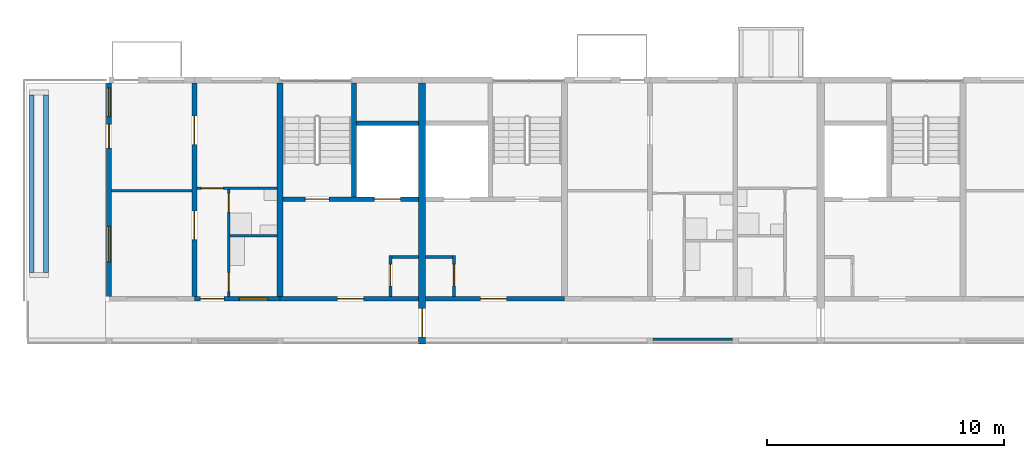
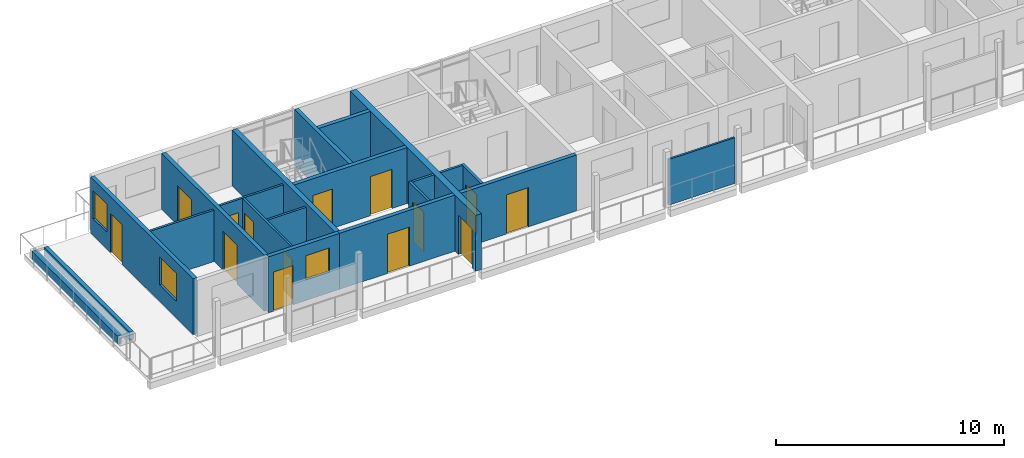
# One storey, part 34 of 93: 21 walls, 14 doors, 3 windows, 17 openings.
"""IFC4 building model written with IfcOpenShell, lengths in metres."""

from ifc_helpers import new_model, si_unit, direction, frame, frame_2d, origin, place, context, subcontext, project, spatial, rectangle, extrude, material, layer, layer_set, type_object, element, fill, save


model = new_model("IFC4")

# Units and contexts
model_context = context("Model", 3, precision=1e-05, world=origin(), true_north=direction((0.0, 1.0)))
body_context = subcontext(model_context, "Body", "Model", "MODEL_VIEW")
ifc_project = project(units=[si_unit("LENGTHUNIT", "METRE"), si_unit("AREAUNIT", "SQUARE_METRE"), si_unit("VOLUMEUNIT", "CUBIC_METRE"), si_unit("PLANEANGLEUNIT", "RADIAN"), si_unit("MASSUNIT", "GRAM", prefix="KILO")], contexts=[model_context])

# Site, building, storey
site_placement = place(None, origin())
site = spatial("IfcSite", under=ifc_project, at=site_placement, CompositionType="ELEMENT")
building_placement = place(site_placement, origin())
building = spatial("IfcBuilding", under=site, at=building_placement, Name="Ridgestep Commons", CompositionType="ELEMENT")
storey_placement = place(building_placement, frame((0.0, 0.0, 18.0)))
storey = spatial("IfcBuildingStorey", under=building, at=storey_placement, Name="L06", CompositionType="ELEMENT", Elevation=18.0)

# Wall
ifc_material_1 = material(Name="Concrete C30/37", Category="concrete")
ifc_layer_1 = layer(ifc_material_1, 0.25)
ifc_layer_set_1 = layer_set([ifc_layer_1], Name="Core cross wall 250")
wall_type_1 = type_object("IfcWallType", Name="Core cross wall 250", PredefinedType="SHEAR", material=ifc_layer_set_1)
wall_1_placement = place(storey_placement, frame((22.800048828125, 68.0, 0.0), z_axis=(0.0, 0.0, 1.0), x_axis=(0.0, 1.0, 0.0)))
element("IfcWall", 1, at=wall_1_placement, inside=storey, type_object=wall_type_1, Name="Cross wall B-06-0228", PredefinedType="SHEAR", context=body_context, shape_type="SweptSolid", body=[
    extrude(rectangle(XDim=9.0, YDim=0.25, at=frame_2d((4.5, 0.0))), origin(), (0.0, 0.0, 1.0), 3.0),
])

# Wall, opening, door
ifc_material_2 = material(Name="Concrete C30/37", Category="concrete")
ifc_layer_2 = layer(ifc_material_2, 0.199951171875)
ifc_layer_set_2 = layer_set([ifc_layer_2], Name="Core south wall 200")
wall_type_2 = type_object("IfcWallType", Name="Core south wall 200", PredefinedType="SHEAR", material=ifc_layer_set_2)
wall_2_placement = place(storey_placement, frame((22.800048828125, 67.89990234375, 0.0), z_axis=(0.0, 0.0, 1.0), x_axis=(1.0, 0.0, 0.0)))
wall_2 = element("IfcWall", 2, at=wall_2_placement, inside=storey, type_object=wall_type_2, Name="Core south wall B1C L06", PredefinedType="SHEAR", context=body_context, shape_type="SweptSolid", body=[
    extrude(rectangle(XDim=5.849853515625, YDim=0.199951171875, at=frame_2d((2.9248046875, 0.0))), origin(), (0.0, 0.0, 1.0), 3.0),
])
opening_1_placement = place(wall_2_placement, frame((2.4375, 0.0, 0.0)))
opening_1 = element("IfcOpeningElement", 3, at=opening_1_placement, cuts=wall_2, Name="Opening B1C/06/1", PredefinedType="OPENING", context=body_context, shape_type="SweptSolid", body=[
    extrude(rectangle(XDim=1.10009765625, YDim=2.10009765625, at=frame_2d((0.550048828125, 1.050048828125))), frame((0.0, 0.10986328125, 0.0), z_axis=(0.0, -1.0, 0.0), x_axis=(1.0, 0.0, 0.0)), (0.0, 0.0, 1.0), 0.219970703125),
])
ifc_material_3 = material(Name="Steel fire door", Category="steel")
door_type_1 = type_object("IfcDoorType", Name="Lobby door 1100 x 2100 FD60", OperationType="NOTDEFINED", PredefinedType="DOOR", material=ifc_material_3)
door_1_placement = place(opening_1_placement, origin())
door_1 = element("IfcDoor", 4, at=door_1_placement, inside=storey, type_object=door_type_1, Name="Lobby door B1C/06/1", OperationType="SINGLE_SWING_LEFT", OverallHeight=2.10009765625, OverallWidth=1.10009765625, PredefinedType="DOOR", context=body_context, shape_type="SweptSolid", body=[
    extrude(rectangle(XDim=1.10009765625, YDim=2.10009765625, at=frame_2d((0.550048828125, 1.050048828125))), frame((0.0, 0.02490234375, 0.0), z_axis=(0.0, -1.0, 0.0), x_axis=(1.0, 0.0, 0.0)), (0.0, 0.0, 1.0), 0.050048828125),
])
fill(opening_1, door_1)

wall_3_placement = place(storey_placement, frame((28.949951171875, 67.89990234375, 0.0), z_axis=(0.0, 0.0, 1.0), x_axis=(1.0, 0.0, 0.0)))
wall_3 = element("IfcWall", 5, at=wall_3_placement, inside=storey, type_object=wall_type_2, Name="Core south wall B2C L06", PredefinedType="SHEAR", context=body_context, shape_type="SweptSolid", body=[
    extrude(rectangle(XDim=5.85009765625, YDim=0.199951171875, at=frame_2d((2.925048828125, 0.0))), origin(), (0.0, 0.0, 1.0), 3.0),
])
opening_2_placement = place(wall_3_placement, frame((2.3125, 0.0, 0.0)))
opening_2 = element("IfcOpeningElement", 6, at=opening_2_placement, cuts=wall_3, Name="Opening B2C/06/1", PredefinedType="OPENING", context=body_context, shape_type="SweptSolid", body=[
    extrude(rectangle(XDim=1.10009765625, YDim=2.10009765625, at=frame_2d((0.550048828125, 1.050048828125))), frame((0.0, 0.10986328125, 0.0), z_axis=(0.0, -1.0, 0.0), x_axis=(1.0, 0.0, 0.0)), (0.0, 0.0, 1.0), 0.219970703125),
])
door_2_placement = place(opening_2_placement, origin())
door_2 = element("IfcDoor", 7, at=door_2_placement, inside=storey, type_object=door_type_1, Name="Lobby door B2C/06/1", OperationType="SINGLE_SWING_LEFT", OverallHeight=2.10009765625, OverallWidth=1.10009765625, PredefinedType="DOOR", context=body_context, shape_type="SweptSolid", body=[
    extrude(rectangle(XDim=1.10009765625, YDim=2.10009765625, at=frame_2d((0.550048828125, 1.050048828125))), frame((0.0, 0.02490234375, 0.0), z_axis=(0.0, -1.0, 0.0), x_axis=(1.0, 0.0, 0.0)), (0.0, 0.0, 1.0), 0.050048828125),
])
fill(opening_2, door_2)

ifc_material_4 = material(Name="Concrete C30/37", Category="concrete")
ifc_layer_3 = layer(ifc_material_4, 0.1201171875)
ifc_layer_set_3 = layer_set([ifc_layer_3], Name="Core wall 120")
wall_type_3 = type_object("IfcWallType", Name="Core wall 120", PredefinedType="SHEAR", material=ifc_layer_set_3)
wall_4_placement = place(storey_placement, frame((27.4599609375, 68.0, 0.0), z_axis=(0.0, 0.0, 1.0), x_axis=(0.0, 1.0, 0.0)))
wall_4 = element("IfcWall", 8, at=wall_4_placement, inside=storey, type_object=wall_type_3, Name="Core riser w wall B1C L06", PredefinedType="SHEAR", context=body_context, shape_type="SweptSolid", body=[
    extrude(rectangle(XDim=1.719970703125, YDim=0.1201171875, at=frame_2d((0.85986328125, 0.0))), origin(), (0.0, 0.0, 1.0), 3.0),
])
opening_3_placement = place(wall_4_placement, frame((0.449951171875, 0.0, 0.0)))
opening_3 = element("IfcOpeningElement", 9, at=opening_3_placement, cuts=wall_4, Name="Opening B1C/06/4", PredefinedType="OPENING", context=body_context, shape_type="SweptSolid", body=[
    extrude(rectangle(XDim=0.89990234375, YDim=2.10009765625, at=frame_2d((0.449951171875, 1.050048828125))), frame((0.0, 0.070068359375, 0.0), z_axis=(0.0, -1.0, 0.0), x_axis=(1.0, 0.0, 0.0)), (0.0, 0.0, 1.0), 0.14013671875),
])
ifc_material_5 = material(Name="Steel fire door", Category="steel")
door_type_2 = type_object("IfcDoorType", Name="Riser door 900 x 2100 FD60", OperationType="NOTDEFINED", PredefinedType="DOOR", material=ifc_material_5)
door_3_placement = place(opening_3_placement, origin())
door_3 = element("IfcDoor", 10, at=door_3_placement, inside=storey, type_object=door_type_2, Name="Riser door B1C/06/4", OperationType="SINGLE_SWING_LEFT", OverallHeight=2.10009765625, OverallWidth=0.89990234375, PredefinedType="DOOR", context=body_context, shape_type="SweptSolid", body=[
    extrude(rectangle(XDim=0.89990234375, YDim=2.10009765625, at=frame_2d((0.449951171875, 1.050048828125))), frame((0.0, 0.02490234375, 0.0), z_axis=(0.0, -1.0, 0.0), x_axis=(1.0, 0.0, 0.0)), (0.0, 0.0, 1.0), 0.050048828125),
])
fill(opening_3, door_3)

# Wall
wall_5_placement = place(storey_placement, frame((27.52001953125, 69.659912109375, 0.0), z_axis=(0.0, 0.0, 1.0), x_axis=(1.0, 0.0, 0.0)))
element("IfcWall", 11, at=wall_5_placement, inside=storey, type_object=wall_type_3, Name="Core riser n wall B1C L06", PredefinedType="SHEAR", context=body_context, shape_type="SweptSolid", body=[
    extrude(rectangle(XDim=1.1298828125, YDim=0.1201171875, at=frame_2d((0.56494140625, 0.0))), origin(), (0.0, 0.0, 1.0), 3.0),
])

# Wall, opening, door
wall_6_placement = place(storey_placement, frame((30.139892578125, 68.0, 0.0), z_axis=(0.0, 0.0, 1.0), x_axis=(0.0, 1.0, 0.0)))
wall_6 = element("IfcWall", 12, at=wall_6_placement, inside=storey, type_object=wall_type_3, Name="Core riser w wall B2C L06", PredefinedType="SHEAR", context=body_context, shape_type="SweptSolid", body=[
    extrude(rectangle(XDim=1.719970703125, YDim=0.1201171875, at=frame_2d((0.85986328125, 0.0))), origin(), (0.0, 0.0, 1.0), 3.0),
])
opening_4_placement = place(wall_6_placement, frame((0.449951171875, 0.0, 0.0)))
opening_4 = element("IfcOpeningElement", 13, at=opening_4_placement, cuts=wall_6, Name="Opening B2C/06/4", PredefinedType="OPENING", context=body_context, shape_type="SweptSolid", body=[
    extrude(rectangle(XDim=0.89990234375, YDim=2.10009765625, at=frame_2d((0.449951171875, 1.050048828125))), frame((0.0, 0.070068359375, 0.0), z_axis=(0.0, -1.0, 0.0), x_axis=(1.0, 0.0, 0.0)), (0.0, 0.0, 1.0), 0.14013671875),
])
door_4_placement = place(opening_4_placement, origin())
door_4 = element("IfcDoor", 14, at=door_4_placement, inside=storey, type_object=door_type_2, Name="Riser door B2C/06/4", OperationType="SINGLE_SWING_RIGHT", OverallHeight=2.10009765625, OverallWidth=0.89990234375, PredefinedType="DOOR", context=body_context, shape_type="SweptSolid", body=[
    extrude(rectangle(XDim=0.89990234375, YDim=2.10009765625, at=frame_2d((0.449951171875, 1.050048828125))), frame((0.0, 0.02490234375, 0.0), z_axis=(0.0, -1.0, 0.0), x_axis=(1.0, 0.0, 0.0)), (0.0, 0.0, 1.0), 0.050048828125),
])
fill(opening_4, door_4)

# Wall
wall_7_placement = place(storey_placement, frame((28.949951171875, 69.659912109375, 0.0), z_axis=(0.0, 0.0, 1.0), x_axis=(1.0, 0.0, 0.0)))
element("IfcWall", 15, at=wall_7_placement, inside=storey, type_object=wall_type_3, Name="Core riser n wall B2C L06", PredefinedType="SHEAR", context=body_context, shape_type="SweptSolid", body=[
    extrude(rectangle(XDim=1.130126953125, YDim=0.1201171875, at=frame_2d((0.56494140625, 0.0))), origin(), (0.0, 0.0, 1.0), 3.0),
])

# Wall, openings, doors
ifc_material_6 = material(Name="Concrete C30/37", Category="concrete")
ifc_layer_4 = layer(ifc_material_6, 0.199951171875)
ifc_layer_set_4 = layer_set([ifc_layer_4], Name="Core wall 200")
wall_type_4 = type_object("IfcWallType", Name="Core wall 200", PredefinedType="SHEAR", material=ifc_layer_set_4)
wall_8_placement = place(storey_placement, frame((22.925048828125, 72.10009765625, 0.0), z_axis=(0.0, 0.0, 1.0), x_axis=(1.0, 0.0, 0.0)))
wall_8 = element("IfcWall", 16, at=wall_8_placement, inside=storey, type_object=wall_type_4, Name="Core lobby wall B1C L06", PredefinedType="SHEAR", context=body_context, shape_type="SweptSolid", body=[
    extrude(rectangle(XDim=5.724853515625, YDim=0.199951171875, at=frame_2d((2.8623046875, 0.0))), origin(), (0.0, 0.0, 1.0), 3.0),
])
opening_5_placement = place(wall_8_placement, frame((0.949951171875, 0.0, 0.0)))
opening_5 = element("IfcOpeningElement", 17, at=opening_5_placement, cuts=wall_8, Name="Opening B1C/06/2", PredefinedType="OPENING", context=body_context, shape_type="SweptSolid", body=[
    extrude(rectangle(XDim=1.0, YDim=2.10009765625, at=frame_2d((0.5, 1.050048828125))), frame((0.0, 0.10986328125, 0.0), z_axis=(0.0, -1.0, 0.0), x_axis=(1.0, 0.0, 0.0)), (0.0, 0.0, 1.0), 0.219970703125),
])
opening_6_placement = place(wall_8_placement, frame((3.862548828125, 0.0, 0.0)))
opening_6 = element("IfcOpeningElement", 18, at=opening_6_placement, cuts=wall_8, Name="Opening B1C/06/3", PredefinedType="OPENING", context=body_context, shape_type="SweptSolid", body=[
    extrude(rectangle(XDim=1.10009765625, YDim=2.10009765625, at=frame_2d((0.550048828125, 1.050048828125))), frame((0.0, 0.10986328125, 0.0), z_axis=(0.0, -1.0, 0.0), x_axis=(1.0, 0.0, 0.0)), (0.0, 0.0, 1.0), 0.219970703125),
])
ifc_material_7 = material(Name="Stainless steel", Category="steel")
door_type_3 = type_object("IfcDoorType", Name="Lift landing door 1100 x 2100 FD60", OperationType="DOUBLE_DOOR_SLIDING", PredefinedType="DOOR", material=ifc_material_7)
door_5_placement = place(opening_6_placement, origin())
door_5 = element("IfcDoor", 19, at=door_5_placement, inside=storey, type_object=door_type_3, Name="Landing door LD B1C L06", OperationType="DOUBLE_DOOR_SLIDING", OverallHeight=2.10009765625, OverallWidth=1.10009765625, PredefinedType="DOOR", context=body_context, shape_type="SweptSolid", body=[
    extrude(rectangle(XDim=1.10009765625, YDim=2.10009765625, at=frame_2d((0.550048828125, 1.050048828125))), frame((0.0, 0.02490234375, 0.0), z_axis=(0.0, -1.0, 0.0), x_axis=(1.0, 0.0, 0.0)), (0.0, 0.0, 1.0), 0.050048828125),
])
fill(opening_6, door_5)
ifc_material_8 = material(Name="Steel fire door", Category="steel")
door_type_4 = type_object("IfcDoorType", Name="Stair door 1000 x 2100 FD60", OperationType="NOTDEFINED", PredefinedType="DOOR", material=ifc_material_8)
door_6_placement = place(opening_5_placement, origin())
door_6 = element("IfcDoor", 20, at=door_6_placement, inside=storey, type_object=door_type_4, Name="Stair door B1C/06/2", OperationType="SINGLE_SWING_RIGHT", OverallHeight=2.10009765625, OverallWidth=1.0, PredefinedType="DOOR", context=body_context, shape_type="SweptSolid", body=[
    extrude(rectangle(XDim=1.0, YDim=2.10009765625, at=frame_2d((0.5, 1.050048828125))), frame((0.0, 0.02490234375, 0.0), z_axis=(0.0, -1.0, 0.0), x_axis=(1.0, 0.0, 0.0)), (0.0, 0.0, 1.0), 0.050048828125),
])
fill(opening_5, door_6)

# Walls
wall_9_placement = place(storey_placement, frame((25.925048828125, 72.199951171875, 0.0), z_axis=(0.0, 0.0, 1.0), x_axis=(0.0, 1.0, 0.0)))
element("IfcWall", 21, at=wall_9_placement, inside=storey, type_object=wall_type_4, Name="Core stair wall B1C L06", PredefinedType="SHEAR", context=body_context, shape_type="SweptSolid", body=[
    extrude(rectangle(XDim=4.800048828125, YDim=0.199951171875, at=frame_2d((2.39990234375, 0.0))), origin(), (0.0, 0.0, 1.0), 3.0),
])
wall_10_placement = place(storey_placement, frame((26.02490234375, 75.300048828125, 0.0), z_axis=(0.0, 0.0, 1.0), x_axis=(1.0, 0.0, 0.0)))
element("IfcWall", 22, at=wall_10_placement, inside=storey, type_object=wall_type_4, Name="Core duct wall B1C L06", PredefinedType="SHEAR", context=body_context, shape_type="SweptSolid", body=[
    extrude(rectangle(XDim=2.625, YDim=0.199951171875, at=frame_2d((1.3125, 0.0))), origin(), (0.0, 0.0, 1.0), 3.0),
])

# Wall, openings, doors
ifc_material_9 = material(Name="Precast concrete C40/50", Category="concrete")
ifc_layer_5 = layer(ifc_material_9, 0.199951171875)
ifc_layer_set_5 = layer_set([ifc_layer_5], Name="Cross wall 200")
wall_type_5 = type_object("IfcWallType", Name="Cross wall 200", PredefinedType="SHEAR", material=ifc_layer_set_5)
wall_11_placement = place(storey_placement, frame((19.199951171875, 68.0, 0.0), z_axis=(0.0, 0.0, 1.0), x_axis=(0.0, 1.0, 0.0)))
wall_11 = element("IfcWall", 23, at=wall_11_placement, inside=storey, type_object=wall_type_5, Name="Cross wall B-06-0192", PredefinedType="SHEAR", context=body_context, shape_type="SweptSolid", body=[
    extrude(rectangle(XDim=9.0, YDim=0.199951171875, at=frame_2d((4.5, 0.0))), origin(), (0.0, 0.0, 1.0), 3.0),
])
opening_7_placement = place(wall_11_placement, frame((2.39990234375, 0.0, 0.0)))
opening_7 = element("IfcOpeningElement", 24, at=opening_7_placement, cuts=wall_11, Name="Opening B1-06a/5", PredefinedType="OPENING", context=body_context, shape_type="SweptSolid", body=[
    extrude(rectangle(XDim=1.199951171875, YDim=2.10009765625, at=frame_2d((0.60009765625, 1.050048828125))), frame((0.0, 0.10986328125, 0.0), z_axis=(0.0, -1.0, 0.0), x_axis=(1.0, 0.0, 0.0)), (0.0, 0.0, 1.0), 0.219970703125),
])
opening_8_placement = place(wall_11_placement, frame((6.39990234375, 0.0, 0.0)))
opening_8 = element("IfcOpeningElement", 25, at=opening_8_placement, cuts=wall_11, Name="Opening B1-06a/6", PredefinedType="OPENING", context=body_context, shape_type="SweptSolid", body=[
    extrude(rectangle(XDim=1.199951171875, YDim=2.10009765625, at=frame_2d((0.60009765625, 1.050048828125))), frame((0.0, 0.10986328125, 0.0), z_axis=(0.0, -1.0, 0.0), x_axis=(1.0, 0.0, 0.0)), (0.0, 0.0, 1.0), 0.219970703125),
])
ifc_material_10 = material(Name="Timber door leaf", Category="wood")
door_type_5 = type_object("IfcDoorType", Name="Double door 1200 x 2100", OperationType="DOUBLE_DOOR_SINGLE_SWING", PredefinedType="DOOR", material=ifc_material_10)
door_7_placement = place(opening_7_placement, origin())
door_7 = element("IfcDoor", 26, at=door_7_placement, inside=storey, type_object=door_type_5, Name="Double door B1-06a/5", OperationType="DOUBLE_DOOR_SINGLE_SWING", OverallHeight=2.10009765625, OverallWidth=1.199951171875, PredefinedType="DOOR", context=body_context, shape_type="SweptSolid", body=[
    extrude(rectangle(XDim=1.199951171875, YDim=2.10009765625, at=frame_2d((0.60009765625, 1.050048828125))), frame((0.0, 0.02490234375, 0.0), z_axis=(0.0, -1.0, 0.0), x_axis=(1.0, 0.0, 0.0)), (0.0, 0.0, 1.0), 0.050048828125),
])
fill(opening_7, door_7)
door_8_placement = place(opening_8_placement, origin())
door_8 = element("IfcDoor", 27, at=door_8_placement, inside=storey, type_object=door_type_5, Name="Double door B1-06a/6", OperationType="DOUBLE_DOOR_SINGLE_SWING", OverallHeight=2.10009765625, OverallWidth=1.199951171875, PredefinedType="DOOR", context=body_context, shape_type="SweptSolid", body=[
    extrude(rectangle(XDim=1.199951171875, YDim=2.10009765625, at=frame_2d((0.60009765625, 1.050048828125))), frame((0.0, 0.02490234375, 0.0), z_axis=(0.0, -1.0, 0.0), x_axis=(1.0, 0.0, 0.0)), (0.0, 0.0, 1.0), 0.050048828125),
])
fill(opening_8, door_8)

# Wall, opening, door
ifc_material_11 = material(Name="Precast concrete C40/50", Category="concrete")
ifc_layer_6 = layer(ifc_material_11, 0.300048828125)
ifc_layer_set_6 = layer_set([ifc_layer_6], Name="Division wall 300")
wall_type_6 = type_object("IfcWallType", Name="Division wall 300", PredefinedType="SHEAR", material=ifc_layer_set_6)
wall_12_placement = place(storey_placement, frame((28.800048828125, 66.0, 0.0), z_axis=(0.0, 0.0, 1.0), x_axis=(0.0, 1.0, 0.0)))
wall_12 = element("IfcWall", 28, at=wall_12_placement, inside=storey, type_object=wall_type_6, Name="Cross wall B-06-0288", PredefinedType="SHEAR", context=body_context, shape_type="SweptSolid", body=[
    extrude(rectangle(XDim=11.0, YDim=0.300048828125, at=frame_2d((5.5, 0.0))), origin(), (0.0, 0.0, 1.0), 3.0),
])
opening_9_placement = place(wall_12_placement, frame((0.300048828125, 0.0, 0.0)))
opening_9 = element("IfcOpeningElement", 29, at=opening_9_placement, cuts=wall_12, Name="Opening B/06/G0288", PredefinedType="OPENING", context=body_context, shape_type="SweptSolid", body=[
    extrude(rectangle(XDim=1.199951171875, YDim=2.10009765625, at=frame_2d((0.60009765625, 1.050048828125))), frame((0.0, 0.159912109375, 0.0), z_axis=(0.0, -1.0, 0.0), x_axis=(1.0, 0.0, 0.0)), (0.0, 0.0, 1.0), 0.320068359375),
])
ifc_material_12 = material(Name="Steel fire door", Category="steel")
door_type_6 = type_object("IfcDoorType", Name="Division fire door 1200 x 2100 EI 240", OperationType="DOUBLE_DOOR_SINGLE_SWING", PredefinedType="DOOR", material=ifc_material_12)
door_9_placement = place(opening_9_placement, origin())
door_9 = element("IfcDoor", 30, at=door_9_placement, inside=storey, type_object=door_type_6, Name="Division fire door B/06/G0288", OperationType="DOUBLE_DOOR_SINGLE_SWING", OverallHeight=2.10009765625, OverallWidth=1.199951171875, PredefinedType="DOOR", context=body_context, shape_type="SweptSolid", body=[
    extrude(rectangle(XDim=1.199951171875, YDim=2.10009765625, at=frame_2d((0.60009765625, 1.050048828125))), frame((0.0, 0.02490234375, 0.0), z_axis=(0.0, -1.0, 0.0), x_axis=(1.0, 0.0, 0.0)), (0.0, 0.0, 1.0), 0.050048828125),
])
fill(opening_9, door_9)

# Wall, openings, windows, door
ifc_material_13 = material(Name="Precast concrete C40/50", Category="concrete")
ifc_layer_7 = layer(ifc_material_13, 0.199951171875)
ifc_layer_set_7 = layer_set([ifc_layer_7], Name="Exposed cross wall 200")
wall_type_7 = type_object("IfcWallType", Name="Exposed cross wall 200", PredefinedType="SHEAR", material=ifc_layer_set_7)
wall_13_placement = place(storey_placement, frame((15.60009765625, 68.0, 0.0), z_axis=(0.0, 0.0, 1.0), x_axis=(0.0, 1.0, 0.0)))
wall_13 = element("IfcWall", 31, at=wall_13_placement, inside=storey, type_object=wall_type_7, Name="Cross wall B-06-0156", PredefinedType="SHEAR", context=body_context, shape_type="SweptSolid", body=[
    extrude(rectangle(XDim=9.0, YDim=0.199951171875, at=frame_2d((4.5, 0.0))), origin(), (0.0, 0.0, 1.0), 3.0),
])
opening_10_placement = place(wall_13_placement, frame((1.449951171875, 0.0, 0.89990234375)))
opening_10 = element("IfcOpeningElement", 32, at=opening_10_placement, cuts=wall_13, Name="Opening W16", PredefinedType="OPENING", context=body_context, shape_type="SweptSolid", body=[
    extrude(rectangle(XDim=1.5, YDim=1.5, at=frame_2d((0.75, 0.75))), frame((0.0, 0.10986328125, 0.0), z_axis=(0.0, -1.0, 0.0), x_axis=(1.0, 0.0, 0.0)), (0.0, 0.0, 1.0), 0.219970703125),
])
opening_11_placement = place(wall_13_placement, frame((7.577392578125, 0.0, 0.89990234375)))
opening_11 = element("IfcOpeningElement", 33, at=opening_11_placement, cuts=wall_13, Name="Opening W10", PredefinedType="OPENING", context=body_context, shape_type="SweptSolid", body=[
    extrude(rectangle(XDim=1.199951171875, YDim=1.5, at=frame_2d((0.60009765625, 0.75))), frame((0.0, 0.10986328125, 0.0), z_axis=(0.0, -1.0, 0.0), x_axis=(1.0, 0.0, 0.0)), (0.0, 0.0, 1.0), 0.219970703125),
])
opening_12_placement = place(wall_13_placement, frame((6.2548828125, 0.0, 0.0)))
opening_12 = element("IfcOpeningElement", 34, at=opening_12_placement, cuts=wall_13, Name="Opening B1-06a/7", PredefinedType="OPENING", context=body_context, shape_type="SweptSolid", body=[
    extrude(rectangle(XDim=1.0, YDim=2.10009765625, at=frame_2d((0.5, 1.050048828125))), frame((0.0, 0.10986328125, 0.0), z_axis=(0.0, -1.0, 0.0), x_axis=(1.0, 0.0, 0.0)), (0.0, 0.0, 1.0), 0.219970703125),
])
ifc_material_14 = material(Name="Aluminium 6063-T6 and glass", Category="aluminium")
window_type_1 = type_object("IfcWindowType", Name="Flat window 1200 x 1500", PartitioningType="SINGLE_PANEL", PredefinedType="WINDOW", material=ifc_material_14)
window_1_placement = place(opening_11_placement, origin())
window_1 = element("IfcWindow", 35, at=window_1_placement, inside=storey, type_object=window_type_1, Name="Window B1-06a 6", OverallHeight=1.5, OverallWidth=1.199951171875, PartitioningType="SINGLE_PANEL", PredefinedType="WINDOW", context=body_context, shape_type="SweptSolid", body=[
    extrude(rectangle(XDim=1.199951171875, YDim=1.5, at=frame_2d((0.60009765625, 0.75))), frame((0.0, 0.0, 0.0), z_axis=(0.0, -1.0, 0.0), x_axis=(1.0, 0.0, 0.0)), (0.0, 0.0, 1.0), 0.06005859375),
])
fill(opening_11, window_1)
ifc_material_15 = material(Name="Aluminium 6063-T6 and glass", Category="aluminium")
window_type_2 = type_object("IfcWindowType", Name="Flat window 1500 x 1500", PartitioningType="DOUBLE_PANEL_VERTICAL", PredefinedType="WINDOW", material=ifc_material_15)
window_2_placement = place(opening_10_placement, origin())
window_2 = element("IfcWindow", 36, at=window_2_placement, inside=storey, type_object=window_type_2, Name="Window B1-06a 5", OverallHeight=1.5, OverallWidth=1.5, PartitioningType="SINGLE_PANEL", PredefinedType="WINDOW", context=body_context, shape_type="SweptSolid", body=[
    extrude(rectangle(XDim=1.5, YDim=1.5, at=frame_2d((0.75, 0.75))), frame((0.0, 0.0, 0.0), z_axis=(0.0, -1.0, 0.0), x_axis=(1.0, 0.0, 0.0)), (0.0, 0.0, 1.0), 0.06005859375),
])
fill(opening_10, window_2)
ifc_material_16 = material(Name="Aluminium and glass", Category="aluminium")
door_type_7 = type_object("IfcDoorType", Name="Terrace door 1000 x 2100", OperationType="NOTDEFINED", PredefinedType="DOOR", material=ifc_material_16)
door_10_placement = place(opening_12_placement, origin())
door_10 = element("IfcDoor", 37, at=door_10_placement, inside=storey, type_object=door_type_7, Name="Terrace door B1-06a/7", OperationType="SINGLE_SWING_RIGHT", OverallHeight=2.10009765625, OverallWidth=1.0, PredefinedType="DOOR", context=body_context, shape_type="SweptSolid", body=[
    extrude(rectangle(XDim=1.0, YDim=2.10009765625, at=frame_2d((0.5, 1.050048828125))), frame((0.0, 0.02490234375, 0.0), z_axis=(0.0, -1.0, 0.0), x_axis=(1.0, 0.0, 0.0)), (0.0, 0.0, 1.0), 0.050048828125),
])
fill(opening_12, door_10)

# Wall, openings, doors
ifc_material_17 = material(Name="Common brick 110 mm", Category="masonry")
ifc_layer_8 = layer(ifc_material_17, 0.110107421875)
ifc_layer_set_8 = layer_set([ifc_layer_8], Name="Partition 110")
wall_type_8 = type_object("IfcWallType", Name="Partition 110", PredefinedType="PARTITIONING", material=ifc_layer_set_8)
wall_14_placement = place(storey_placement, frame((20.655029296875, 68.0, 0.0), z_axis=(0.0, 0.0, 1.0), x_axis=(0.0, 1.0, 0.0)))
wall_14 = element("IfcWall", 38, at=wall_14_placement, inside=storey, type_object=wall_type_8, Name="Partition B1-06a", PredefinedType="PARTITIONING", context=body_context, shape_type="SweptSolid", body=[
    extrude(rectangle(XDim=4.5, YDim=0.110107421875, at=frame_2d((2.25, 0.0))), origin(), (0.0, 0.0, 1.0), 2.800048828125),
])
opening_13_placement = place(wall_14_placement, frame((0.199951171875, 0.0, 0.0)))
opening_13 = element("IfcOpeningElement", 39, at=opening_13_placement, cuts=wall_14, Name="Opening B1-06a/2", PredefinedType="OPENING", context=body_context, shape_type="SweptSolid", body=[
    extrude(rectangle(XDim=0.800048828125, YDim=2.10009765625, at=frame_2d((0.39990234375, 1.050048828125))), frame((0.0, 0.06494140625, 0.0), z_axis=(0.0, -1.0, 0.0), x_axis=(1.0, 0.0, 0.0)), (0.0, 0.0, 1.0), 0.130126953125),
])
opening_14_placement = place(wall_14_placement, frame((3.550048828125, 0.0, 0.0)))
opening_14 = element("IfcOpeningElement", 40, at=opening_14_placement, cuts=wall_14, Name="Opening B1-06a/3", PredefinedType="OPENING", context=body_context, shape_type="SweptSolid", body=[
    extrude(rectangle(XDim=0.800048828125, YDim=2.10009765625, at=frame_2d((0.39990234375, 1.050048828125))), frame((0.0, 0.06494140625, 0.0), z_axis=(0.0, -1.0, 0.0), x_axis=(1.0, 0.0, 0.0)), (0.0, 0.0, 1.0), 0.130126953125),
])
ifc_material_18 = material(Name="Timber door leaf", Category="wood")
door_type_8 = type_object("IfcDoorType", Name="Internal door 800 x 2100", OperationType="NOTDEFINED", PredefinedType="DOOR", material=ifc_material_18)
door_11_placement = place(opening_13_placement, origin())
door_11 = element("IfcDoor", 41, at=door_11_placement, inside=storey, type_object=door_type_8, Name="Internal door B1-06a/2", OperationType="SINGLE_SWING_RIGHT", OverallHeight=2.10009765625, OverallWidth=0.800048828125, PredefinedType="DOOR", context=body_context, shape_type="SweptSolid", body=[
    extrude(rectangle(XDim=0.800048828125, YDim=2.10009765625, at=frame_2d((0.39990234375, 1.050048828125))), frame((0.0, 0.02490234375, 0.0), z_axis=(0.0, -1.0, 0.0), x_axis=(1.0, 0.0, 0.0)), (0.0, 0.0, 1.0), 0.050048828125),
])
fill(opening_13, door_11)
door_12_placement = place(opening_14_placement, origin())
door_12 = element("IfcDoor", 42, at=door_12_placement, inside=storey, type_object=door_type_8, Name="Internal door B1-06a/3", OperationType="SINGLE_SWING_LEFT", OverallHeight=2.10009765625, OverallWidth=0.800048828125, PredefinedType="DOOR", context=body_context, shape_type="SweptSolid", body=[
    extrude(rectangle(XDim=0.800048828125, YDim=2.10009765625, at=frame_2d((0.39990234375, 1.050048828125))), frame((0.0, 0.02490234375, 0.0), z_axis=(0.0, -1.0, 0.0), x_axis=(1.0, 0.0, 0.0)), (0.0, 0.0, 1.0), 0.050048828125),
])
fill(opening_14, door_12)

# Wall
wall_15_placement = place(storey_placement, frame((20.7099609375, 70.554931640625, 0.0), z_axis=(0.0, 0.0, 1.0), x_axis=(1.0, 0.0, 0.0)))
element("IfcWall", 43, at=wall_15_placement, inside=storey, type_object=wall_type_8, Name="Partition B1-06a", PredefinedType="PARTITIONING", context=body_context, shape_type="SweptSolid", body=[
    extrude(rectangle(XDim=1.965087890625, YDim=0.110107421875, at=frame_2d((0.982421875, 0.0))), origin(), (0.0, 0.0, 1.0), 2.800048828125),
])

# Wall, opening, door
wall_16_placement = place(storey_placement, frame((19.300048828125, 72.554931640625, 0.0), z_axis=(0.0, 0.0, 1.0), x_axis=(1.0, 0.0, 0.0)))
wall_16 = element("IfcWall", 44, at=wall_16_placement, inside=storey, type_object=wall_type_8, Name="Partition B1-06a", PredefinedType="PARTITIONING", context=body_context, shape_type="SweptSolid", body=[
    extrude(rectangle(XDim=3.375, YDim=0.110107421875, at=frame_2d((1.6875, 0.0))), origin(), (0.0, 0.0, 1.0), 2.800048828125),
])
opening_15_placement = place(wall_16_placement, frame((0.199951171875, 0.0, 0.0)))
opening_15 = element("IfcOpeningElement", 45, at=opening_15_placement, cuts=wall_16, Name="Opening B1-06a/4", PredefinedType="OPENING", context=body_context, shape_type="SweptSolid", body=[
    extrude(rectangle(XDim=0.89990234375, YDim=2.10009765625, at=frame_2d((0.449951171875, 1.050048828125))), frame((0.0, 0.06494140625, 0.0), z_axis=(0.0, -1.0, 0.0), x_axis=(1.0, 0.0, 0.0)), (0.0, 0.0, 1.0), 0.130126953125),
])
ifc_material_19 = material(Name="Timber door leaf", Category="wood")
door_type_9 = type_object("IfcDoorType", Name="Internal door 900 x 2100", OperationType="NOTDEFINED", PredefinedType="DOOR", material=ifc_material_19)
door_13_placement = place(opening_15_placement, origin())
door_13 = element("IfcDoor", 46, at=door_13_placement, inside=storey, type_object=door_type_9, Name="Internal door B1-06a/4", OperationType="SINGLE_SWING_RIGHT", OverallHeight=2.10009765625, OverallWidth=0.89990234375, PredefinedType="DOOR", context=body_context, shape_type="SweptSolid", body=[
    extrude(rectangle(XDim=0.89990234375, YDim=2.10009765625, at=frame_2d((0.449951171875, 1.050048828125))), frame((0.0, 0.02490234375, 0.0), z_axis=(0.0, -1.0, 0.0), x_axis=(1.0, 0.0, 0.0)), (0.0, 0.0, 1.0), 0.050048828125),
])
fill(opening_15, door_13)

# Walls
wall_17_placement = place(storey_placement, frame((15.699951171875, 72.455078125, 0.0), z_axis=(0.0, 0.0, 1.0), x_axis=(1.0, 0.0, 0.0)))
element("IfcWall", 47, at=wall_17_placement, inside=storey, type_object=wall_type_8, Name="Partition B1-06a", PredefinedType="PARTITIONING", context=body_context, shape_type="SweptSolid", body=[
    extrude(rectangle(XDim=3.400146484375, YDim=0.110107421875, at=frame_2d((1.7001953125, 0.0))), origin(), (0.0, 0.0, 1.0), 2.75),
])
ifc_material_20 = material(Name="Precast concrete C30/37", Category="concrete")
ifc_layer_9 = layer(ifc_material_20, 0.10009765625)
ifc_layer_set_9 = layer_set([ifc_layer_9], Name="Perforated gallery screen 3350 x 2450 x 100")
wall_type_9 = type_object("IfcWallType", Name="Perforated gallery screen 3350 x 2450 x 100", PredefinedType="SOLIDWALL", material=ifc_layer_set_9)
wall_18_placement = place(storey_placement, frame((38.52490234375, 66.199951171875, 0.0), z_axis=(0.0, 0.0, 1.0), x_axis=(1.0, 0.0, 0.0)))
element("IfcWall", 48, at=wall_18_placement, inside=storey, type_object=wall_type_9, Name="Gallery screen B2T2 06", PredefinedType="SOLIDWALL", context=body_context, shape_type="SweptSolid", body=[
    extrude(rectangle(XDim=3.35009765625, YDim=0.10009765625, at=frame_2d((1.675048828125, 0.0))), origin(), (0.0, 0.0, 1.0), 2.449951171875),
])
ifc_material_21 = material(Name="Facing brick", Category="masonry")
ifc_layer_10 = layer(ifc_material_21, 0.199951171875)
ifc_layer_set_10 = layer_set([ifc_layer_10], Name="Planter wall 200")
wall_type_10 = type_object("IfcWallType", Name="Planter wall 200", PredefinedType="SOLIDWALL", material=ifc_layer_set_10)
for number, where, z_axis, x_axis, name in (
    (49, (12.35009765625, 69.0, 0.010009765625), (0.0, 0.0, 1.0), (0.0, 1.0, 0.0), "Planter wall B1R1W"),
    (50, (12.949951171875, 69.0, 0.010009765625), (0.0, 0.0, 1.0), (0.0, 1.0, 0.0), "Planter wall B1R1E"),
):
    element("IfcWall", number, at=place(storey_placement, frame(where, z_axis=z_axis, x_axis=x_axis)), inside=storey, type_object=wall_type_10, Name=name, PredefinedType="SOLIDWALL", context=body_context, shape_type="SweptSolid", body=[
        extrude(rectangle(XDim=7.5, YDim=0.199951171875, at=frame_2d((3.75, 0.0))), origin(), (0.0, 0.0, 1.0), 0.449951171875),
    ])

# Wall, openings, door, window
ifc_material_22 = material(Name="Precast concrete C40/50", Category="concrete")
ifc_layer_11 = layer(ifc_material_22, 0.199951171875)
ifc_layer_set_11 = layer_set([ifc_layer_11], Name="South facade panel 200")
wall_type_11 = type_object("IfcWallType", Name="South facade panel 200", PredefinedType="SOLIDWALL", material=ifc_layer_set_11)
wall_19_placement = place(storey_placement, frame((19.199951171875, 67.89990234375, 0.0), z_axis=(0.0, 0.0, 1.0), x_axis=(1.0, 0.0, 0.0)))
wall_19 = element("IfcWall", 51, at=wall_19_placement, inside=storey, type_object=wall_type_11, Name="South panel B1T3 L06", PredefinedType="SOLIDWALL", context=body_context, shape_type="SweptSolid", body=[
    extrude(rectangle(XDim=3.60009765625, YDim=0.199951171875, at=frame_2d((1.800048828125, 0.0))), origin(), (0.0, 0.0, 1.0), 3.0),
])
opening_16_placement = place(wall_19_placement, frame((1.892578125, 0.0, 1.10009765625)))
opening_16 = element("IfcOpeningElement", 52, at=opening_16_placement, cuts=wall_19, Name="Opening W08", PredefinedType="OPENING", context=body_context, shape_type="SweptSolid", body=[
    extrude(rectangle(XDim=1.199951171875, YDim=1.300048828125, at=frame_2d((0.60009765625, 0.64990234375))), frame((0.0, 0.10986328125, 0.0), z_axis=(0.0, -1.0, 0.0), x_axis=(1.0, 0.0, 0.0)), (0.0, 0.0, 1.0), 0.219970703125),
])
opening_17_placement = place(wall_19_placement, frame((0.25, 0.0, 0.0)))
opening_17 = element("IfcOpeningElement", 53, at=opening_17_placement, cuts=wall_19, Name="Opening B1-06a/1", PredefinedType="OPENING", context=body_context, shape_type="SweptSolid", body=[
    extrude(rectangle(XDim=1.0, YDim=2.10009765625, at=frame_2d((0.5, 1.050048828125))), frame((0.0, 0.10986328125, 0.0), z_axis=(0.0, -1.0, 0.0), x_axis=(1.0, 0.0, 0.0)), (0.0, 0.0, 1.0), 0.219970703125),
])
ifc_material_23 = material(Name="Timber door leaf", Category="wood")
door_type_10 = type_object("IfcDoorType", Name="Flat entrance door 1000 x 2100 FD30S", OperationType="NOTDEFINED", PredefinedType="DOOR", material=ifc_material_23)
door_14_placement = place(opening_17_placement, origin())
door_14 = element("IfcDoor", 54, at=door_14_placement, inside=storey, type_object=door_type_10, Name="Flat entrance door B1-06a/1", OperationType="SINGLE_SWING_LEFT", OverallHeight=2.10009765625, OverallWidth=1.0, PredefinedType="DOOR", context=body_context, shape_type="SweptSolid", body=[
    extrude(rectangle(XDim=1.0, YDim=2.10009765625, at=frame_2d((0.5, 1.050048828125))), frame((0.0, 0.02490234375, 0.0), z_axis=(0.0, -1.0, 0.0), x_axis=(1.0, 0.0, 0.0)), (0.0, 0.0, 1.0), 0.050048828125),
])
fill(opening_17, door_14)
ifc_material_24 = material(Name="Aluminium 6063-T6 and glass", Category="aluminium")
window_type_3 = type_object("IfcWindowType", Name="Flat window 1200 x 1300", PartitioningType="SINGLE_PANEL", PredefinedType="WINDOW", material=ifc_material_24)
window_3_placement = place(opening_16_placement, origin())
window_3 = element("IfcWindow", 55, at=window_3_placement, inside=storey, type_object=window_type_3, Name="Window B1-06a 3", OverallHeight=1.300048828125, OverallWidth=1.199951171875, PartitioningType="SINGLE_PANEL", PredefinedType="WINDOW", context=body_context, shape_type="SweptSolid", body=[
    extrude(rectangle(XDim=1.199951171875, YDim=1.300048828125, at=frame_2d((0.60009765625, 0.64990234375))), frame((0.0, 0.06005859375, 0.0), z_axis=(0.0, -1.0, 0.0), x_axis=(1.0, 0.0, 0.0)), (0.0, 0.0, 1.0), 0.06005859375),
])
fill(opening_16, window_3)

save(model, "model.ifc")
